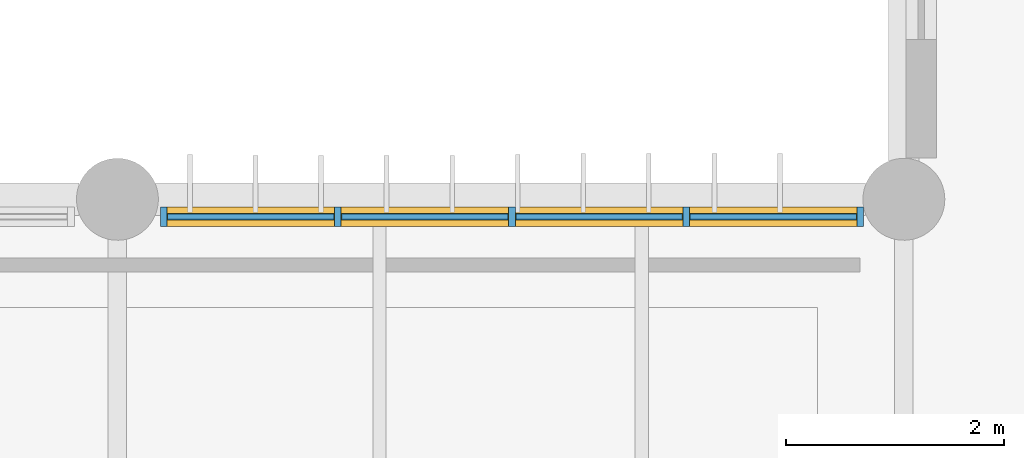
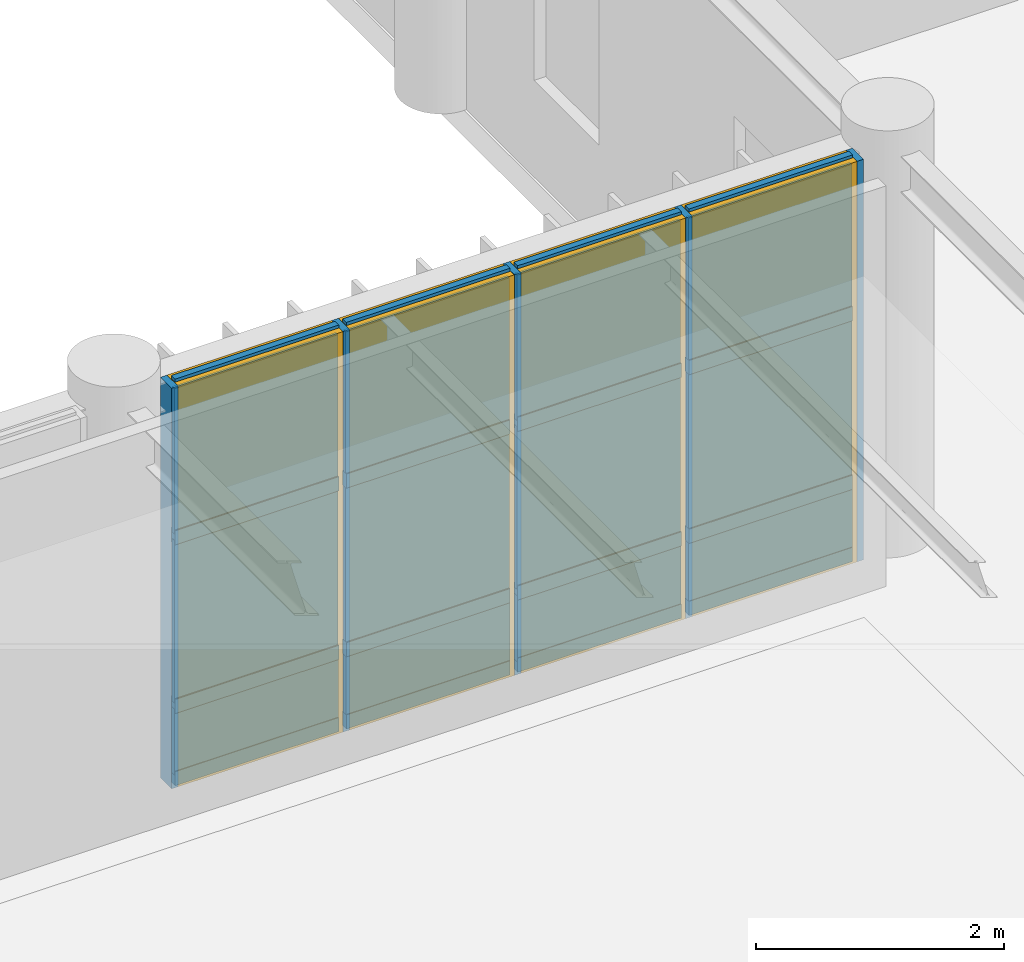
# One storey, part 65 of 122: 21 members, 12 plates, 1 curtain wall.
"""IFC4 building model written with IfcOpenShell, lengths in metres."""

from ifc_helpers import new_model, si_unit, direction, frame, frame_2d, origin, origin_2d, place, context, subcontext, project, spatial, rectangle, extrude, material, layer, layer_set, material_profile, profile_set, type_object, element, aggregate, save


model = new_model("IFC4")

# Units and contexts
model_context = context("Model", 3, precision=1e-05, world=origin(), true_north=direction((0.0, 1.0)))
body_context = subcontext(model_context, "Body", "Model", "MODEL_VIEW")
ifc_project = project(units=[si_unit("LENGTHUNIT", "METRE"), si_unit("AREAUNIT", "SQUARE_METRE"), si_unit("VOLUMEUNIT", "CUBIC_METRE"), si_unit("PLANEANGLEUNIT", "RADIAN"), si_unit("MASSUNIT", "GRAM", prefix="KILO")], contexts=[model_context])

# Member
ifc_material_1 = material(Name="Anodised Bronze Aluminium 6063-T6", Category="aluminium")
ifc_material_profile_1 = material_profile(ifc_material_1, rectangle(XDim=0.06005859375, YDim=0.179931640625, at=origin_2d()), Name="ALU MULLION 60x180")
ifc_profile_set_1 = profile_set([ifc_material_profile_1], Name="Anodised Bronze Aluminium 6063-T6")
member_type_1 = type_object("IfcMemberType", Name="Curtain-Wall Primary Mullion 60x180", PredefinedType="MULLION", material=ifc_profile_set_1)
site_placement = place(None, origin())
building_placement = place(site_placement, origin())
storey_placement = place(building_placement, frame((0.0, 0.0, 4.800048828125)))
member_1_placement = place(storey_placement, frame((50.824951171875, 30.0400390625, 0.0), z_axis=(0.0, 0.0, 1.0), x_axis=(1.0, 0.0, 0.0)))
member_1 = element("IfcMember", 1, at=member_1_placement, type_object=member_type_1, Name="Mullion CWM-01 CW-V5-NRET-W-L01-B3-M01", PredefinedType="MULLION", context=body_context, shape_type="SweptSolid", body=[
    extrude(rectangle(XDim=0.06005859375, YDim=0.179931640625, at=origin_2d()), origin(), (0.0, 0.0, 1.0), 3.93994140625),
])

member_2_placement = place(storey_placement, frame((52.418701171875, 30.0400390625, 0.0), z_axis=(0.0, 0.0, 1.0), x_axis=(1.0, 0.0, 0.0)))
member_2 = element("IfcMember", 2, at=member_2_placement, type_object=member_type_1, Name="Mullion CWM-01 CW-V5-NRET-W-L01-B3-M02", PredefinedType="MULLION", context=body_context, shape_type="SweptSolid", body=[
    extrude(rectangle(XDim=0.06005859375, YDim=0.179931640625, at=origin_2d()), origin(), (0.0, 0.0, 1.0), 3.93994140625),
])

member_3_placement = place(storey_placement, frame((54.012451171875, 30.0400390625, 0.0), z_axis=(0.0, 0.0, 1.0), x_axis=(1.0, 0.0, 0.0)))
member_3 = element("IfcMember", 3, at=member_3_placement, type_object=member_type_1, Name="Mullion CWM-01 CW-V5-NRET-W-L01-B3-M03", PredefinedType="MULLION", context=body_context, shape_type="SweptSolid", body=[
    extrude(rectangle(XDim=0.06005859375, YDim=0.179931640625, at=origin_2d()), origin(), (0.0, 0.0, 1.0), 3.93994140625),
])

member_4_placement = place(storey_placement, frame((55.606201171875, 30.0400390625, 0.0), z_axis=(0.0, 0.0, 1.0), x_axis=(1.0, 0.0, 0.0)))
member_4 = element("IfcMember", 4, at=member_4_placement, type_object=member_type_1, Name="Mullion CWM-01 CW-V5-NRET-W-L01-B3-M04", PredefinedType="MULLION", context=body_context, shape_type="SweptSolid", body=[
    extrude(rectangle(XDim=0.06005859375, YDim=0.179931640625, at=origin_2d()), origin(), (0.0, 0.0, 1.0), 3.93994140625),
])

member_5_placement = place(storey_placement, frame((57.199951171875, 30.0400390625, 0.0), z_axis=(0.0, 0.0, 1.0), x_axis=(1.0, 0.0, 0.0)))
member_5 = element("IfcMember", 5, at=member_5_placement, type_object=member_type_1, Name="Mullion CWM-01 CW-V5-NRET-W-L01-B3-M05", PredefinedType="MULLION", context=body_context, shape_type="SweptSolid", body=[
    extrude(rectangle(XDim=0.06005859375, YDim=0.179931640625, at=origin_2d()), origin(), (0.0, 0.0, 1.0), 3.93994140625),
])

ifc_material_profile_2 = material_profile(ifc_material_1, rectangle(XDim=0.06005859375, YDim=0.139892578125, at=origin_2d()), Name="ALU TRANSOM 60x140")
ifc_profile_set_2 = profile_set([ifc_material_profile_2], Name="Anodised Bronze Aluminium 6063-T6")
member_type_2 = type_object("IfcMemberType", Name="Curtain-Wall Transom 60x140", PredefinedType="USERDEFINED", material=ifc_profile_set_2)
member_6_placement = place(storey_placement, frame((50.860107421875, 30.0400390625, 0.0400390625), z_axis=(1.0, 0.0, 0.0), x_axis=(0.0, 1.0, 0.0)))
member_6 = element("IfcMember", 6, at=member_6_placement, type_object=member_type_2, Name="Transom CWT-01 CW-V5-NRET-W-L01-B3-T01.1", ObjectType="TRANSOM", PredefinedType="USERDEFINED", context=body_context, shape_type="SweptSolid", body=[
    extrude(rectangle(XDim=0.06005859375, YDim=0.139892578125, at=origin_2d()), origin(), (0.0, 0.0, 1.0), 1.523681640625),
])

member_7_placement = place(storey_placement, frame((50.860107421875, 30.0400390625, 0.75), z_axis=(1.0, 0.0, 0.0), x_axis=(0.0, 1.0, 0.0)))
member_7 = element("IfcMember", 7, at=member_7_placement, type_object=member_type_2, Name="Transom CWT-01 CW-V5-NRET-W-L01-B3-T01.2", ObjectType="TRANSOM", PredefinedType="USERDEFINED", context=body_context, shape_type="SweptSolid", body=[
    extrude(rectangle(XDim=0.06005859375, YDim=0.139892578125, at=origin_2d()), origin(), (0.0, 0.0, 1.0), 1.523681640625),
])

member_8_placement = place(storey_placement, frame((50.860107421875, 30.0400390625, 2.40869140625), z_axis=(1.0, 0.0, 0.0), x_axis=(0.0, 1.0, 0.0)))
member_8 = element("IfcMember", 8, at=member_8_placement, type_object=member_type_2, Name="Transom CWT-01 CW-V5-NRET-W-L01-B3-T01.3", ObjectType="TRANSOM", PredefinedType="USERDEFINED", context=body_context, shape_type="SweptSolid", body=[
    extrude(rectangle(XDim=0.06005859375, YDim=0.139892578125, at=origin_2d()), origin(), (0.0, 0.0, 1.0), 1.523681640625),
])

member_9_placement = place(storey_placement, frame((50.860107421875, 30.0400390625, 3.89990234375), z_axis=(1.0, 0.0, 0.0), x_axis=(0.0, 1.0, 0.0)))
member_9 = element("IfcMember", 9, at=member_9_placement, type_object=member_type_2, Name="Transom CWT-01 CW-V5-NRET-W-L01-B3-T01.4", ObjectType="TRANSOM", PredefinedType="USERDEFINED", context=body_context, shape_type="SweptSolid", body=[
    extrude(rectangle(XDim=0.06005859375, YDim=0.139892578125, at=origin_2d()), origin(), (0.0, 0.0, 1.0), 1.523681640625),
])

member_10_placement = place(storey_placement, frame((52.45361328125, 30.0400390625, 0.0400390625), z_axis=(1.0, 0.0, 0.0), x_axis=(0.0, 1.0, 0.0)))
member_10 = element("IfcMember", 10, at=member_10_placement, type_object=member_type_2, Name="Transom CWT-01 CW-V5-NRET-W-L01-B3-T02.1", ObjectType="TRANSOM", PredefinedType="USERDEFINED", context=body_context, shape_type="SweptSolid", body=[
    extrude(rectangle(XDim=0.06005859375, YDim=0.139892578125, at=origin_2d()), origin(), (0.0, 0.0, 1.0), 1.52392578125),
])

member_11_placement = place(storey_placement, frame((52.45361328125, 30.0400390625, 0.75), z_axis=(1.0, 0.0, 0.0), x_axis=(0.0, 1.0, 0.0)))
member_11 = element("IfcMember", 11, at=member_11_placement, type_object=member_type_2, Name="Transom CWT-01 CW-V5-NRET-W-L01-B3-T02.2", ObjectType="TRANSOM", PredefinedType="USERDEFINED", context=body_context, shape_type="SweptSolid", body=[
    extrude(rectangle(XDim=0.06005859375, YDim=0.139892578125, at=origin_2d()), origin(), (0.0, 0.0, 1.0), 1.52392578125),
])

member_12_placement = place(storey_placement, frame((52.45361328125, 30.0400390625, 2.40869140625), z_axis=(1.0, 0.0, 0.0), x_axis=(0.0, 1.0, 0.0)))
member_12 = element("IfcMember", 12, at=member_12_placement, type_object=member_type_2, Name="Transom CWT-01 CW-V5-NRET-W-L01-B3-T02.3", ObjectType="TRANSOM", PredefinedType="USERDEFINED", context=body_context, shape_type="SweptSolid", body=[
    extrude(rectangle(XDim=0.06005859375, YDim=0.139892578125, at=origin_2d()), origin(), (0.0, 0.0, 1.0), 1.52392578125),
])

member_13_placement = place(storey_placement, frame((52.45361328125, 30.0400390625, 3.89990234375), z_axis=(1.0, 0.0, 0.0), x_axis=(0.0, 1.0, 0.0)))
member_13 = element("IfcMember", 13, at=member_13_placement, type_object=member_type_2, Name="Transom CWT-01 CW-V5-NRET-W-L01-B3-T02.4", ObjectType="TRANSOM", PredefinedType="USERDEFINED", context=body_context, shape_type="SweptSolid", body=[
    extrude(rectangle(XDim=0.06005859375, YDim=0.139892578125, at=origin_2d()), origin(), (0.0, 0.0, 1.0), 1.52392578125),
])

member_14_placement = place(storey_placement, frame((54.047607421875, 30.0400390625, 0.0400390625), z_axis=(1.0, 0.0, 0.0), x_axis=(0.0, 1.0, 0.0)))
member_14 = element("IfcMember", 14, at=member_14_placement, type_object=member_type_2, Name="Transom CWT-01 CW-V5-NRET-W-L01-B3-T03.1", ObjectType="TRANSOM", PredefinedType="USERDEFINED", context=body_context, shape_type="SweptSolid", body=[
    extrude(rectangle(XDim=0.06005859375, YDim=0.139892578125, at=origin_2d()), origin(), (0.0, 0.0, 1.0), 1.523681640625),
])

member_15_placement = place(storey_placement, frame((54.047607421875, 30.0400390625, 0.75), z_axis=(1.0, 0.0, 0.0), x_axis=(0.0, 1.0, 0.0)))
member_15 = element("IfcMember", 15, at=member_15_placement, type_object=member_type_2, Name="Transom CWT-01 CW-V5-NRET-W-L01-B3-T03.2", ObjectType="TRANSOM", PredefinedType="USERDEFINED", context=body_context, shape_type="SweptSolid", body=[
    extrude(rectangle(XDim=0.06005859375, YDim=0.139892578125, at=origin_2d()), origin(), (0.0, 0.0, 1.0), 1.523681640625),
])

member_16_placement = place(storey_placement, frame((54.047607421875, 30.0400390625, 2.40869140625), z_axis=(1.0, 0.0, 0.0), x_axis=(0.0, 1.0, 0.0)))
member_16 = element("IfcMember", 16, at=member_16_placement, type_object=member_type_2, Name="Transom CWT-01 CW-V5-NRET-W-L01-B3-T03.3", ObjectType="TRANSOM", PredefinedType="USERDEFINED", context=body_context, shape_type="SweptSolid", body=[
    extrude(rectangle(XDim=0.06005859375, YDim=0.139892578125, at=origin_2d()), origin(), (0.0, 0.0, 1.0), 1.523681640625),
])

member_17_placement = place(storey_placement, frame((54.047607421875, 30.0400390625, 3.89990234375), z_axis=(1.0, 0.0, 0.0), x_axis=(0.0, 1.0, 0.0)))
member_17 = element("IfcMember", 17, at=member_17_placement, type_object=member_type_2, Name="Transom CWT-01 CW-V5-NRET-W-L01-B3-T03.4", ObjectType="TRANSOM", PredefinedType="USERDEFINED", context=body_context, shape_type="SweptSolid", body=[
    extrude(rectangle(XDim=0.06005859375, YDim=0.139892578125, at=origin_2d()), origin(), (0.0, 0.0, 1.0), 1.523681640625),
])

member_18_placement = place(storey_placement, frame((55.64111328125, 30.0400390625, 0.0400390625), z_axis=(1.0, 0.0, 0.0), x_axis=(0.0, 1.0, 0.0)))
member_18 = element("IfcMember", 18, at=member_18_placement, type_object=member_type_2, Name="Transom CWT-01 CW-V5-NRET-W-L01-B3-T04.1", ObjectType="TRANSOM", PredefinedType="USERDEFINED", context=body_context, shape_type="SweptSolid", body=[
    extrude(rectangle(XDim=0.06005859375, YDim=0.139892578125, at=origin_2d()), origin(), (0.0, 0.0, 1.0), 1.52392578125),
])

member_19_placement = place(storey_placement, frame((55.64111328125, 30.0400390625, 0.75), z_axis=(1.0, 0.0, 0.0), x_axis=(0.0, 1.0, 0.0)))
member_19 = element("IfcMember", 19, at=member_19_placement, type_object=member_type_2, Name="Transom CWT-01 CW-V5-NRET-W-L01-B3-T04.2", ObjectType="TRANSOM", PredefinedType="USERDEFINED", context=body_context, shape_type="SweptSolid", body=[
    extrude(rectangle(XDim=0.06005859375, YDim=0.139892578125, at=origin_2d()), origin(), (0.0, 0.0, 1.0), 1.52392578125),
])

member_20_placement = place(storey_placement, frame((55.64111328125, 30.0400390625, 2.40869140625), z_axis=(1.0, 0.0, 0.0), x_axis=(0.0, 1.0, 0.0)))
member_20 = element("IfcMember", 20, at=member_20_placement, type_object=member_type_2, Name="Transom CWT-01 CW-V5-NRET-W-L01-B3-T04.3", ObjectType="TRANSOM", PredefinedType="USERDEFINED", context=body_context, shape_type="SweptSolid", body=[
    extrude(rectangle(XDim=0.06005859375, YDim=0.139892578125, at=origin_2d()), origin(), (0.0, 0.0, 1.0), 1.52392578125),
])

member_21_placement = place(storey_placement, frame((55.64111328125, 30.0400390625, 3.89990234375), z_axis=(1.0, 0.0, 0.0), x_axis=(0.0, 1.0, 0.0)))
member_21 = element("IfcMember", 21, at=member_21_placement, type_object=member_type_2, Name="Transom CWT-01 CW-V5-NRET-W-L01-B3-T04.4", ObjectType="TRANSOM", PredefinedType="USERDEFINED", context=body_context, shape_type="SweptSolid", body=[
    extrude(rectangle(XDim=0.06005859375, YDim=0.139892578125, at=origin_2d()), origin(), (0.0, 0.0, 1.0), 1.52392578125),
])

# Plate
ifc_material_2 = material(Name="Insulated Bronze Aluminium Spandrel Panel", Category="aluminium")
ifc_layer_1 = layer(ifc_material_2, 0.050048828125, Name="Insulated Bronze Aluminium Spandrel Panel")
ifc_layer_set_1 = layer_set([ifc_layer_1], Name="Insulated Bronze Aluminium Spandrel Panel")
plate_type_1 = type_object("IfcPlateType", Name="Insulated Anodised Aluminium Spandrel Cassette 50", PredefinedType="CURTAIN_PANEL", material=ifc_layer_set_1)
plate_1_placement = place(storey_placement, frame((51.621826171875, 30.0400390625, 0.070068359375), z_axis=(0.0, 0.0, 1.0), x_axis=(1.0, 0.0, 0.0)))
plate_1 = element("IfcPlate", 22, at=plate_1_placement, type_object=plate_type_1, Name="Curtain Panel CWP-03 CW-V5-NRET-W-L01-B3-P01.1", PredefinedType="CURTAIN_PANEL", context=body_context, shape_type="SweptSolid", body=[
    extrude(rectangle(XDim=1.523681640625, YDim=0.050048828125, at=origin_2d()), origin(), (0.0, 0.0, 1.0), 0.64990234375),
])

plate_2_placement = place(storey_placement, frame((53.215576171875, 30.0400390625, 0.070068359375), z_axis=(0.0, 0.0, 1.0), x_axis=(1.0, 0.0, 0.0)))
plate_2 = element("IfcPlate", 23, at=plate_2_placement, type_object=plate_type_1, Name="Curtain Panel CWP-03 CW-V5-NRET-W-L01-B3-P02.1", PredefinedType="CURTAIN_PANEL", context=body_context, shape_type="SweptSolid", body=[
    extrude(rectangle(XDim=1.523681640625, YDim=0.050048828125, at=origin_2d()), origin(), (0.0, 0.0, 1.0), 0.64990234375),
])

plate_3_placement = place(storey_placement, frame((54.809326171875, 30.0400390625, 0.070068359375), z_axis=(0.0, 0.0, 1.0), x_axis=(1.0, 0.0, 0.0)))
plate_3 = element("IfcPlate", 24, at=plate_3_placement, type_object=plate_type_1, Name="Curtain Panel CWP-03 CW-V5-NRET-W-L01-B3-P03.1", PredefinedType="CURTAIN_PANEL", context=body_context, shape_type="SweptSolid", body=[
    extrude(rectangle(XDim=1.523681640625, YDim=0.050048828125, at=origin_2d()), origin(), (0.0, 0.0, 1.0), 0.64990234375),
])

plate_4_placement = place(storey_placement, frame((56.403076171875, 30.0400390625, 0.070068359375), z_axis=(0.0, 0.0, 1.0), x_axis=(1.0, 0.0, 0.0)))
plate_4 = element("IfcPlate", 25, at=plate_4_placement, type_object=plate_type_1, Name="Curtain Panel CWP-03 CW-V5-NRET-W-L01-B3-P04.1", PredefinedType="CURTAIN_PANEL", context=body_context, shape_type="SweptSolid", body=[
    extrude(rectangle(XDim=1.523681640625, YDim=0.050048828125, at=origin_2d()), origin(), (0.0, 0.0, 1.0), 0.64990234375),
])

ifc_material_3 = material(Name="Solar-Control Tempered Double Glazing", Category="glass")
ifc_layer_2 = layer(ifc_material_3, 0.0380859375, Name="Solar-Control Tempered Double Glazing")
ifc_layer_set_2 = layer_set([ifc_layer_2], Name="Solar-Control Tempered Double Glazing")
plate_type_2 = type_object("IfcPlateType", Name="Solar-Control Vision Glazing Unit 38", PredefinedType="CURTAIN_PANEL", material=ifc_layer_set_2)
plate_5_placement = place(storey_placement, frame((51.621826171875, 30.0400390625, 0.77978515625), z_axis=(0.0, 0.0, 1.0), x_axis=(1.0, 0.0, 0.0)))
plate_5 = element("IfcPlate", 26, at=plate_5_placement, type_object=plate_type_2, Name="Curtain Panel CWP-02 CW-V5-NRET-W-L01-B3-P01.2", PredefinedType="CURTAIN_PANEL", context=body_context, shape_type="SweptSolid", body=[
    extrude(rectangle(XDim=1.523681640625, YDim=0.0380859375, at=origin_2d()), origin(), (0.0, 0.0, 1.0), 1.598876953125),
])

plate_6_placement = place(storey_placement, frame((51.621826171875, 30.0400390625, 2.438720703125), z_axis=(0.0, 0.0, 1.0), x_axis=(1.0, 0.0, 0.0)))
plate_6 = element("IfcPlate", 27, at=plate_6_placement, type_object=plate_type_2, Name="Curtain Panel CWP-02 CW-V5-NRET-W-L01-B3-P01.3", PredefinedType="CURTAIN_PANEL", context=body_context, shape_type="SweptSolid", body=[
    extrude(rectangle(XDim=1.523681640625, YDim=0.0380859375, at=origin_2d()), origin(), (0.0, 0.0, 1.0), 1.43115234375),
])

plate_7_placement = place(storey_placement, frame((53.215576171875, 30.0400390625, 0.77978515625), z_axis=(0.0, 0.0, 1.0), x_axis=(1.0, 0.0, 0.0)))
plate_7 = element("IfcPlate", 28, at=plate_7_placement, type_object=plate_type_2, Name="Curtain Panel CWP-02 CW-V5-NRET-W-L01-B3-P02.2", PredefinedType="CURTAIN_PANEL", context=body_context, shape_type="SweptSolid", body=[
    extrude(rectangle(XDim=1.523681640625, YDim=0.0380859375, at=origin_2d()), origin(), (0.0, 0.0, 1.0), 1.598876953125),
])

plate_8_placement = place(storey_placement, frame((53.215576171875, 30.0400390625, 2.438720703125), z_axis=(0.0, 0.0, 1.0), x_axis=(1.0, 0.0, 0.0)))
plate_8 = element("IfcPlate", 29, at=plate_8_placement, type_object=plate_type_2, Name="Curtain Panel CWP-02 CW-V5-NRET-W-L01-B3-P02.3", PredefinedType="CURTAIN_PANEL", context=body_context, shape_type="SweptSolid", body=[
    extrude(rectangle(XDim=1.523681640625, YDim=0.0380859375, at=origin_2d()), origin(), (0.0, 0.0, 1.0), 1.43115234375),
])

plate_9_placement = place(storey_placement, frame((54.809326171875, 30.0400390625, 0.77978515625), z_axis=(0.0, 0.0, 1.0), x_axis=(1.0, 0.0, 0.0)))
plate_9 = element("IfcPlate", 30, at=plate_9_placement, type_object=plate_type_2, Name="Curtain Panel CWP-02 CW-V5-NRET-W-L01-B3-P03.2", PredefinedType="CURTAIN_PANEL", context=body_context, shape_type="SweptSolid", body=[
    extrude(rectangle(XDim=1.523681640625, YDim=0.0380859375, at=origin_2d()), origin(), (0.0, 0.0, 1.0), 1.598876953125),
])

plate_10_placement = place(storey_placement, frame((54.809326171875, 30.0400390625, 2.438720703125), z_axis=(0.0, 0.0, 1.0), x_axis=(1.0, 0.0, 0.0)))
plate_10 = element("IfcPlate", 31, at=plate_10_placement, type_object=plate_type_2, Name="Curtain Panel CWP-02 CW-V5-NRET-W-L01-B3-P03.3", PredefinedType="CURTAIN_PANEL", context=body_context, shape_type="SweptSolid", body=[
    extrude(rectangle(XDim=1.523681640625, YDim=0.0380859375, at=origin_2d()), origin(), (0.0, 0.0, 1.0), 1.43115234375),
])

plate_11_placement = place(storey_placement, frame((56.403076171875, 30.0400390625, 0.77978515625), z_axis=(0.0, 0.0, 1.0), x_axis=(1.0, 0.0, 0.0)))
plate_11 = element("IfcPlate", 32, at=plate_11_placement, type_object=plate_type_2, Name="Curtain Panel CWP-02 CW-V5-NRET-W-L01-B3-P04.2", PredefinedType="CURTAIN_PANEL", context=body_context, shape_type="SweptSolid", body=[
    extrude(rectangle(XDim=1.523681640625, YDim=0.0380859375, at=origin_2d()), origin(), (0.0, 0.0, 1.0), 1.598876953125),
])

plate_12_placement = place(storey_placement, frame((56.403076171875, 30.0400390625, 2.438720703125), z_axis=(0.0, 0.0, 1.0), x_axis=(1.0, 0.0, 0.0)))
plate_12 = element("IfcPlate", 33, at=plate_12_placement, type_object=plate_type_2, Name="Curtain Panel CWP-02 CW-V5-NRET-W-L01-B3-P04.3", PredefinedType="CURTAIN_PANEL", context=body_context, shape_type="SweptSolid", body=[
    extrude(rectangle(XDim=1.523681640625, YDim=0.0380859375, at=origin_2d()), origin(), (0.0, 0.0, 1.0), 1.43115234375),
])

# Site, building, storey
site = spatial("IfcSite", under=ifc_project, at=site_placement, CompositionType="ELEMENT")
building = spatial("IfcBuilding", under=site, at=building_placement, Name="Tazoul Stagehouse", CompositionType="ELEMENT")
storey = spatial("IfcBuildingStorey", under=building, at=storey_placement, Name="L01", CompositionType="ELEMENT", Elevation=4.800048828125)

# Curtain wall
curtain_wall_type = type_object("IfcCurtainWallType", Name="Foyer Clear Solar-Control Curtain Wall", PredefinedType="NOTDEFINED", material=ifc_material_1)
curtain_wall_placement = place(storey_placement, frame((50.824951171875, 30.0400390625, 0.0), z_axis=(0.0, 0.0, 1.0), x_axis=(1.0, 0.0, 0.0)))
curtain_wall = element("IfcCurtainWall", 34, at=curtain_wall_placement, inside=storey, type_object=curtain_wall_type, Name="L01 Curtain Wall CW-02 (CW-V5-NRET-W-L01-B3)", PredefinedType="NOTDEFINED", context=body_context, shape_type="SweptSolid", body=[
    extrude(rectangle(XDim=6.375, YDim=0.179931640625, at=frame_2d((3.1875, 0.0))), origin(), (0.0, 0.0, 1.0), 3.93994140625),
])

aggregate(curtain_wall, [member_1, member_2, member_3, member_4, member_5, member_6, member_7, member_8, member_9, plate_1, plate_5, plate_6, member_10, member_11, member_12, member_13, plate_2, plate_7, plate_8, member_14, member_15, member_16, member_17, plate_3, plate_9, plate_10, member_18, member_19, member_20, member_21, plate_4, plate_11, plate_12])

save(model, "model.ifc")
